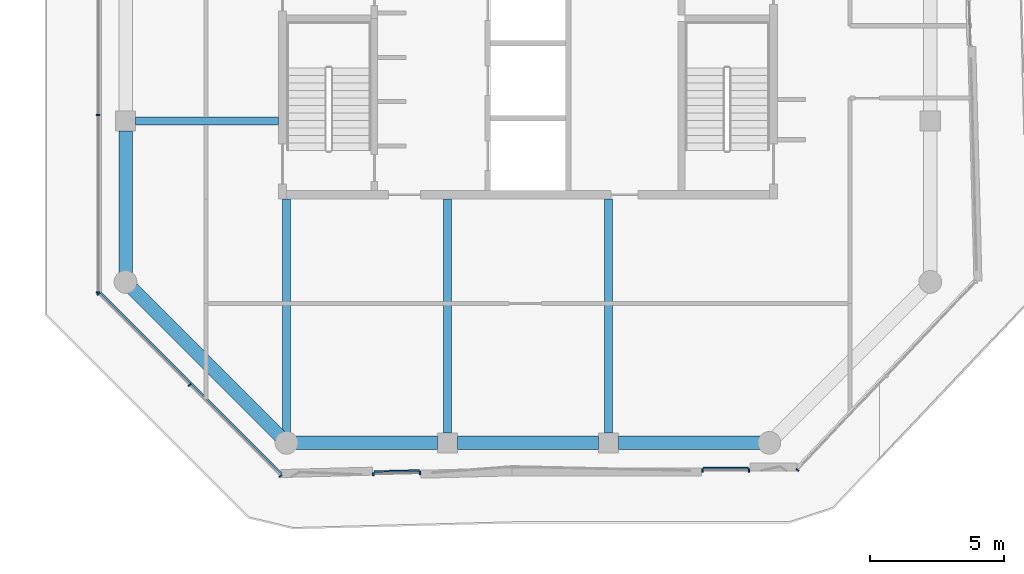
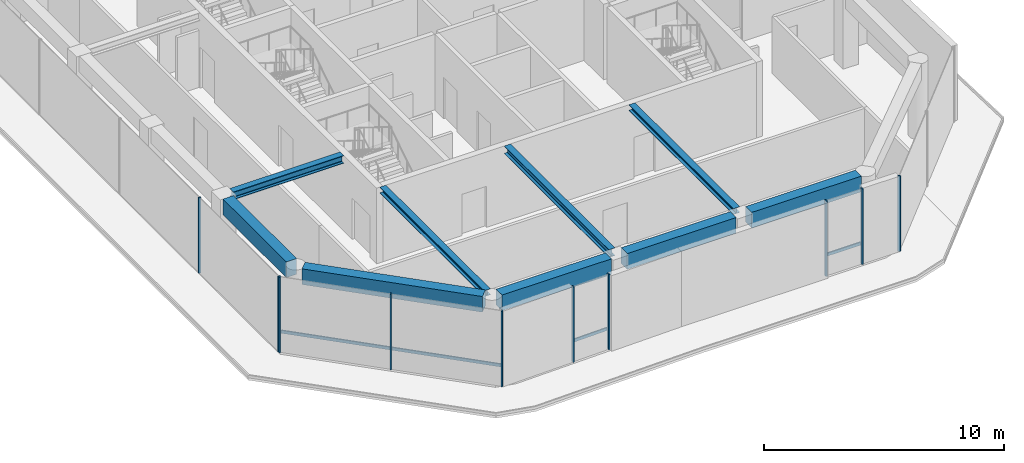
# One storey, part 2 of 20: 13 members, 9 beams, 5 elements without a shape of their own.
"""IFC4 building model written with IfcOpenShell, lengths in metres."""

from ifc_helpers import new_model, si_unit, direction, frame, origin, origin_2d, place, context, subcontext, project, spatial, rectangle, i_section, extrude, material, layer, layer_set, material_profile, profile_set, type_object, element, aggregate, save


model = new_model("IFC4")

# Units and contexts
model_context = context("Model", 3, precision=1e-05, world=origin(), true_north=direction((0.0, 1.0)))
body_context = subcontext(model_context, "Body", "Model", "MODEL_VIEW")
ifc_project = project(units=[si_unit("LENGTHUNIT", "METRE"), si_unit("AREAUNIT", "SQUARE_METRE"), si_unit("VOLUMEUNIT", "CUBIC_METRE"), si_unit("PLANEANGLEUNIT", "RADIAN"), si_unit("MASSUNIT", "GRAM", prefix="KILO")], contexts=[model_context])

# Site, building, storey
site_placement = place(None, origin())
site = spatial("IfcSite", under=ifc_project, at=site_placement, CompositionType="ELEMENT")
building_placement = place(site_placement, origin())
building = spatial("IfcBuilding", under=site, at=building_placement, Name="Welwitschia Terrace Campus", CompositionType="ELEMENT")
storey_placement = place(building_placement, frame((0.0, 0.0, 293.60009765625)))
storey = spatial("IfcBuildingStorey", under=building, at=storey_placement, Name="L65", CompositionType="ELEMENT", Elevation=293.60009765625)

# Beams
ifc_material_1 = material(Name="Steel S355", Category="steel")
ifc_material_profile_1 = material_profile(ifc_material_1, i_section(OverallWidth=0.300048828125, OverallDepth=0.300048828125, WebThickness=0.010986328125, FlangeThickness=0.01904296875, FilletRadius=0.027099609375, at=origin_2d()))
ifc_profile_set_1 = profile_set([ifc_material_profile_1], Name="Steel S355")
beam_type_1 = type_object("IfcBeamType", Name="Interior girder HE 300 B", PredefinedType="BEAM", material=ifc_profile_set_1)
beam_1_placement = place(storey_placement, frame((6.0, -3.611572265625, 3.699951171875), z_axis=(0.0, 1.0, 0.0), x_axis=(-1.0, 0.0, 0.0)))
element("IfcBeam", 1, at=beam_1_placement, inside=storey, type_object=beam_type_1, Name="Girder GB6", PredefinedType="BEAM", context=body_context, shape_type="SweptSolid", body=[
    extrude(i_section(OverallWidth=0.300048828125, OverallDepth=0.300048828125, WebThickness=0.010986328125, FlangeThickness=0.01904296875, FilletRadius=0.027099609375, at=origin_2d()), origin(), (0.0, 0.0, 1.0), 8.710693359375),
])
beam_2_placement = place(storey_placement, frame((18.0, -3.634521484375, 3.699951171875), z_axis=(0.0, 1.0, 0.0), x_axis=(-1.0, 0.0, 0.0)))
element("IfcBeam", 2, at=beam_2_placement, inside=storey, type_object=beam_type_1, Name="Girder GB6", PredefinedType="BEAM", context=body_context, shape_type="SweptSolid", body=[
    extrude(i_section(OverallWidth=0.300048828125, OverallDepth=0.300048828125, WebThickness=0.010986328125, FlangeThickness=0.01904296875, FilletRadius=0.027099609375, at=origin_2d()), origin(), (0.0, 0.0, 1.0), 8.733642578125),
])

# Curtain wall, members
ifc_material_2 = material(Name="Bronze anodised aluminium", Category="aluminium")
ifc_layer = layer(ifc_material_2, 0.1201171875)
ifc_layer_set = layer_set([ifc_layer], Name="Bronze anodised aluminium")
curtain_wall_type = type_object("IfcCurtainWallType", Name="Curtain wall CW2 tower 6000", PredefinedType="NOTDEFINED", material=ifc_layer_set)
curtain_wall_1_placement = place(storey_placement, origin())
curtain_wall_1 = element("IfcCurtainWall", 3, at=curtain_wall_1_placement, inside=storey, type_object=curtain_wall_type, Name="CW L65.1.0", PredefinedType="NOTDEFINED")
ifc_material_3 = material(Name="Bronze anodised aluminium", Category="aluminium")
ifc_material_profile_2 = material_profile(ifc_material_3, rectangle(XDim=0.1201171875, YDim=0.06005859375, at=origin_2d()))
ifc_profile_set_2 = profile_set([ifc_material_profile_2], Name="Bronze anodised aluminium")
member_type_1 = type_object("IfcMemberType", Name="Mullion 60x120", PredefinedType="MULLION", material=ifc_profile_set_2)
member_1_placement = place(storey_placement, frame((-1.030029296875, 8.22802734375, 0.0), z_axis=(0.0, 0.0, 1.0), x_axis=(1.0, 0.0, 0.0)))
member_1 = element("IfcMember", 4, at=member_1_placement, type_object=member_type_1, Name="Mullion L65.1.0.3", PredefinedType="MULLION", context=body_context, shape_type="SweptSolid", body=[
    extrude(rectangle(XDim=0.1201171875, YDim=0.06005859375, at=origin_2d()), origin(), (0.0, 0.0, 1.0), 3.849853515625),
])
member_2_placement = place(storey_placement, frame((-1.030029296875, 1.603271484375, 0.0), z_axis=(0.0, 0.0, 1.0), x_axis=(1.0, 0.0, 0.0)))
member_2 = element("IfcMember", 5, at=member_2_placement, type_object=member_type_1, Name="Mullion L65.1.0.4", PredefinedType="MULLION", context=body_context, shape_type="SweptSolid", body=[
    extrude(rectangle(XDim=0.1201171875, YDim=0.06005859375, at=origin_2d()), origin(), (0.0, 0.0, 1.0), 3.849853515625),
])
aggregate(curtain_wall_1, [member_1, member_2])

curtain_wall_2_placement = place(storey_placement, origin())
curtain_wall_2 = element("IfcCurtainWall", 6, at=curtain_wall_2_placement, inside=storey, type_object=curtain_wall_type, Name="CW L65.2.0", PredefinedType="NOTDEFINED")
member_3_placement = place(storey_placement, frame((-1.0087890625, 1.55224609375, 0.0), z_axis=(0.0, 0.0, 1.0), x_axis=(0.707106781187, 0.707106781187, 0.0)))
member_3 = element("IfcMember", 7, at=member_3_placement, type_object=member_type_1, Name="Mullion L65.2.0.0", PredefinedType="MULLION", context=body_context, shape_type="SweptSolid", body=[
    extrude(rectangle(XDim=0.1201171875, YDim=0.06005859375, at=origin_2d()), origin(), (0.0, 0.0, 1.0), 3.849853515625),
])
member_4_placement = place(storey_placement, frame((2.384521484375, -1.841064453125, 0.0), z_axis=(0.0, 0.0, 1.0), x_axis=(0.707106781187, 0.707106781187, 0.0)))
member_4 = element("IfcMember", 8, at=member_4_placement, type_object=member_type_1, Name="Mullion L65.2.0.1", PredefinedType="MULLION", context=body_context, shape_type="SweptSolid", body=[
    extrude(rectangle(XDim=0.1201171875, YDim=0.06005859375, at=origin_2d()), origin(), (0.0, 0.0, 1.0), 3.849853515625),
])
member_5_placement = place(storey_placement, frame((5.777587890625, -5.234375, 0.0), z_axis=(0.0, 0.0, 1.0), x_axis=(0.707106781187, 0.707106781187, 0.0)))
member_5 = element("IfcMember", 9, at=member_5_placement, type_object=member_type_1, Name="Mullion L65.2.0.2", PredefinedType="MULLION", context=body_context, shape_type="SweptSolid", body=[
    extrude(rectangle(XDim=0.1201171875, YDim=0.06005859375, at=origin_2d()), origin(), (0.0, 0.0, 1.0), 3.849853515625),
])

curtain_wall_3_placement = place(storey_placement, origin())
curtain_wall_3 = element("IfcCurtainWall", 10, at=curtain_wall_3_placement, inside=storey, type_object=curtain_wall_type, Name="CW L65.3.S0", PredefinedType="NOTDEFINED")
member_6_placement = place(storey_placement, frame((9.23486328125, -5.16552734375, 0.0), z_axis=(0.0, 0.0, 1.0), x_axis=(-0.026176948308, 0.999657324976, 0.0)))
member_6 = element("IfcMember", 11, at=member_6_placement, type_object=member_type_1, Name="Mullion L65.3.S0.0", PredefinedType="MULLION", context=body_context, shape_type="SweptSolid", body=[
    extrude(rectangle(XDim=0.1201171875, YDim=0.06005859375, at=origin_2d()), origin(), (0.0, 0.0, 1.0), 3.849853515625),
])
member_7_placement = place(storey_placement, frame((10.974365234375, -5.119873046875, 0.0), z_axis=(0.0, 0.0, 1.0), x_axis=(-0.026176948308, 0.999657324976, 0.0)))
member_7 = element("IfcMember", 12, at=member_7_placement, type_object=member_type_1, Name="Mullion L65.3.S0.1", PredefinedType="MULLION", context=body_context, shape_type="SweptSolid", body=[
    extrude(rectangle(XDim=0.1201171875, YDim=0.06005859375, at=origin_2d()), origin(), (0.0, 0.0, 1.0), 3.849853515625),
])

curtain_wall_4_placement = place(storey_placement, origin())
curtain_wall_4 = element("IfcCurtainWall", 13, at=curtain_wall_4_placement, inside=storey, type_object=curtain_wall_type, Name="CW L65.4.S0", PredefinedType="NOTDEFINED")
member_8_placement = place(storey_placement, frame((21.503173828125, -5.030029296875, 0.0), z_axis=(0.0, 0.0, 1.0), x_axis=(0.0, 1.0, 0.0)))
member_8 = element("IfcMember", 14, at=member_8_placement, type_object=member_type_1, Name="Mullion L65.4.S0.0", PredefinedType="MULLION", context=body_context, shape_type="SweptSolid", body=[
    extrude(rectangle(XDim=0.1201171875, YDim=0.06005859375, at=origin_2d()), origin(), (0.0, 0.0, 1.0), 3.849853515625),
])
member_9_placement = place(storey_placement, frame((23.2431640625, -5.030029296875, 0.0), z_axis=(0.0, 0.0, 1.0), x_axis=(0.0, 1.0, 0.0)))
member_9 = element("IfcMember", 15, at=member_9_placement, type_object=member_type_1, Name="Mullion L65.4.S0.1", PredefinedType="MULLION", context=body_context, shape_type="SweptSolid", body=[
    extrude(rectangle(XDim=0.1201171875, YDim=0.06005859375, at=origin_2d()), origin(), (0.0, 0.0, 1.0), 3.849853515625),
])

# Curtain wall, member
curtain_wall_5_placement = place(storey_placement, origin())
curtain_wall_5 = element("IfcCurtainWall", 16, at=curtain_wall_5_placement, inside=storey, type_object=curtain_wall_type, Name="CW L65.5.0", PredefinedType="NOTDEFINED")
member_10_placement = place(storey_placement, frame((25.0478515625, -5.00830078125, 0.0), z_axis=(0.0, 0.0, 1.0), x_axis=(-0.725374371012, 0.688354575694, 0.0)))
member_10 = element("IfcMember", 17, at=member_10_placement, type_object=member_type_1, Name="Mullion L65.5.0.0", PredefinedType="MULLION", context=body_context, shape_type="SweptSolid", body=[
    extrude(rectangle(XDim=0.1201171875, YDim=0.06005859375, at=origin_2d()), origin(), (0.0, 0.0, 1.0), 3.849853515625),
])
aggregate(curtain_wall_5, [member_10])

# Beams
ifc_material_4 = material(Name="Steel S355", Category="steel")
ifc_material_profile_3 = material_profile(ifc_material_4, i_section(OverallWidth=0.300048828125, OverallDepth=0.39990234375, WebThickness=0.013427734375, FlangeThickness=0.02392578125, FilletRadius=0.027099609375, at=origin_2d()))
ifc_profile_set_3 = profile_set([ifc_material_profile_3], Name="Steel S355")
beam_type_2 = type_object("IfcBeamType", Name="Primary beam HE 400 B", PredefinedType="BEAM", material=ifc_profile_set_3)
beam_3_placement = place(storey_placement, frame((12.0, -3.62451171875, 3.64990234375), z_axis=(0.0, 1.0, 0.0), x_axis=(-1.0, 0.0, 0.0)))
element("IfcBeam", 18, at=beam_3_placement, inside=storey, type_object=beam_type_2, Name="Primary beam PB6", PredefinedType="BEAM", context=body_context, shape_type="SweptSolid", body=[
    extrude(i_section(OverallWidth=0.300048828125, OverallDepth=0.39990234375, WebThickness=0.013427734375, FlangeThickness=0.02392578125, FilletRadius=0.027099609375, at=origin_2d()), origin(), (0.0, 0.0, 1.0), 8.724609375),
])
beam_4_placement = place(storey_placement, frame((0.37548828125, 8.0, 3.64990234375), z_axis=(1.0, 0.0, 0.0), x_axis=(0.0, 1.0, 0.0)))
element("IfcBeam", 19, at=beam_4_placement, inside=storey, type_object=beam_type_2, Name="Primary beam PB6", PredefinedType="BEAM", context=body_context, shape_type="SweptSolid", body=[
    extrude(i_section(OverallWidth=0.300048828125, OverallDepth=0.39990234375, WebThickness=0.013427734375, FlangeThickness=0.02392578125, FilletRadius=0.027099609375, at=origin_2d()), origin(), (0.0, 0.0, 1.0), 5.324462890625),
])
ifc_material_5 = material(Name="Concrete C50/60", Category="concrete")
ifc_material_profile_4 = material_profile(ifc_material_5, rectangle(XDim=0.5, YDim=0.800048828125, at=origin_2d()))
ifc_profile_set_4 = profile_set([ifc_material_profile_4], Name="Concrete C50/60")
beam_type_3 = type_object("IfcBeamType", Name="Ring spandrel 500x800", PredefinedType="SPANDREL", material=ifc_profile_set_4)
beam_5_placement = place(storey_placement, frame((0.24365234375, 1.75634765625, 3.449951171875), z_axis=(0.707106781187, -0.707106781187, 0.0), x_axis=(0.707106781187, 0.707106781187, 0.0)))
element("IfcBeam", 20, at=beam_5_placement, inside=storey, type_object=beam_type_3, Name="Spandrel SP4", PredefinedType="SPANDREL", context=body_context, shape_type="SweptSolid", body=[
    extrude(rectangle(XDim=0.5, YDim=0.800048828125, at=origin_2d()), origin(), (0.0, 0.0, 1.0), 7.796142578125),
])
beam_6_placement = place(storey_placement, frame((6.344482421875, -4.0, 3.449951171875), z_axis=(1.0, 0.0, 0.0), x_axis=(0.0, 1.0, 0.0)))
element("IfcBeam", 21, at=beam_6_placement, inside=storey, type_object=beam_type_3, Name="Spandrel SP4", PredefinedType="SPANDREL", context=body_context, shape_type="SweptSolid", body=[
    extrude(rectangle(XDim=0.5, YDim=0.800048828125, at=origin_2d()), origin(), (0.0, 0.0, 1.0), 5.280029296875),
])
beam_7_placement = place(storey_placement, frame((12.37548828125, -4.0, 3.449951171875), z_axis=(1.0, 0.0, 0.0), x_axis=(0.0, 1.0, 0.0)))
element("IfcBeam", 22, at=beam_7_placement, inside=storey, type_object=beam_type_3, Name="Spandrel SP4", PredefinedType="SPANDREL", context=body_context, shape_type="SweptSolid", body=[
    extrude(rectangle(XDim=0.5, YDim=0.800048828125, at=origin_2d()), origin(), (0.0, 0.0, 1.0), 5.2490234375),
])
for number, where, z_axis, x_axis, name in (
    (23, (18.37548828125, -4.0, 3.449951171875), (1.0, 0.0, 0.0), (0.0, 1.0, 0.0), "Spandrel SP4"),
    (24, (0.0, 7.62451171875, 3.449951171875), (0.0, -1.0, 0.0), (1.0, 0.0, 0.0), "Spandrel SP4"),
):
    element("IfcBeam", number, at=place(storey_placement, frame(where, z_axis=z_axis, x_axis=x_axis)), inside=storey, type_object=beam_type_3, Name=name, PredefinedType="SPANDREL", context=body_context, shape_type="SweptSolid", body=[
        extrude(rectangle(XDim=0.5, YDim=0.800048828125, at=origin_2d()), origin(), (0.0, 0.0, 1.0), 5.280029296875),
    ])

# Member
ifc_material_6 = material(Name="Bronze anodised aluminium", Category="aluminium")
ifc_material_profile_5 = material_profile(ifc_material_6, rectangle(XDim=0.06005859375, YDim=0.14990234375, at=origin_2d()))
ifc_profile_set_5 = profile_set([ifc_material_profile_5], Name="Bronze anodised aluminium")
member_type_2 = type_object("IfcMemberType", Name="Transom 60x150", PredefinedType="USERDEFINED", material=ifc_profile_set_5)
member_11_placement = place(storey_placement, frame((-0.923828125, 1.594482421875, 1.0), z_axis=(0.707106781187, -0.707106781187, 0.0), x_axis=(0.707106781187, 0.707106781187, 0.0)))
member_11 = element("IfcMember", 25, at=member_11_placement, type_object=member_type_2, Name="Transom L65.2.0", ObjectType="TRANSOM", PredefinedType="USERDEFINED", context=body_context, shape_type="SweptSolid", body=[
    extrude(rectangle(XDim=0.06005859375, YDim=0.14990234375, at=origin_2d()), origin(), (0.0, 0.0, 1.0), 9.537353515625),
])

aggregate(curtain_wall_2, [member_3, member_4, member_5, member_11])

member_12_placement = place(storey_placement, frame((9.2626953125, -5.07470703125, 1.0), z_axis=(0.99965783038, 0.026157640568, 0.0), x_axis=(-0.026157640568, 0.99965783038, 0.0)))
member_12 = element("IfcMember", 26, at=member_12_placement, type_object=member_type_2, Name="Transom L65.3.S0", ObjectType="TRANSOM", PredefinedType="USERDEFINED", context=body_context, shape_type="SweptSolid", body=[
    extrude(rectangle(XDim=0.06005859375, YDim=0.14990234375, at=origin_2d()), origin(), (0.0, 0.0, 1.0), 1.679931640625),
])

aggregate(curtain_wall_3, [member_6, member_7, member_12])

member_13_placement = place(storey_placement, frame((21.533203125, -4.93994140625, 1.0), z_axis=(1.0, 0.0, 0.0), x_axis=(0.0, 1.0, 0.0)))
member_13 = element("IfcMember", 27, at=member_13_placement, type_object=member_type_2, Name="Transom L65.4.S0", ObjectType="TRANSOM", PredefinedType="USERDEFINED", context=body_context, shape_type="SweptSolid", body=[
    extrude(rectangle(XDim=0.06005859375, YDim=0.14990234375, at=origin_2d()), origin(), (0.0, 0.0, 1.0), 1.679931640625),
])

aggregate(curtain_wall_4, [member_8, member_9, member_13])

save(model, "model.ifc")
